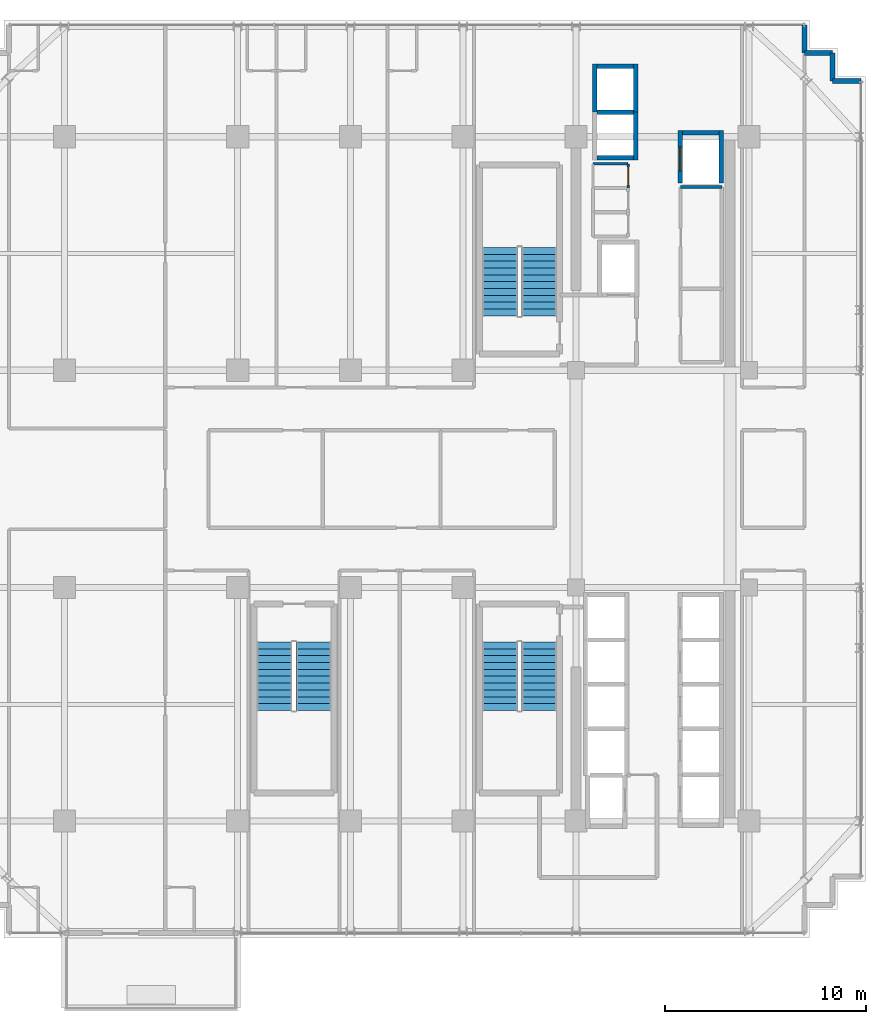
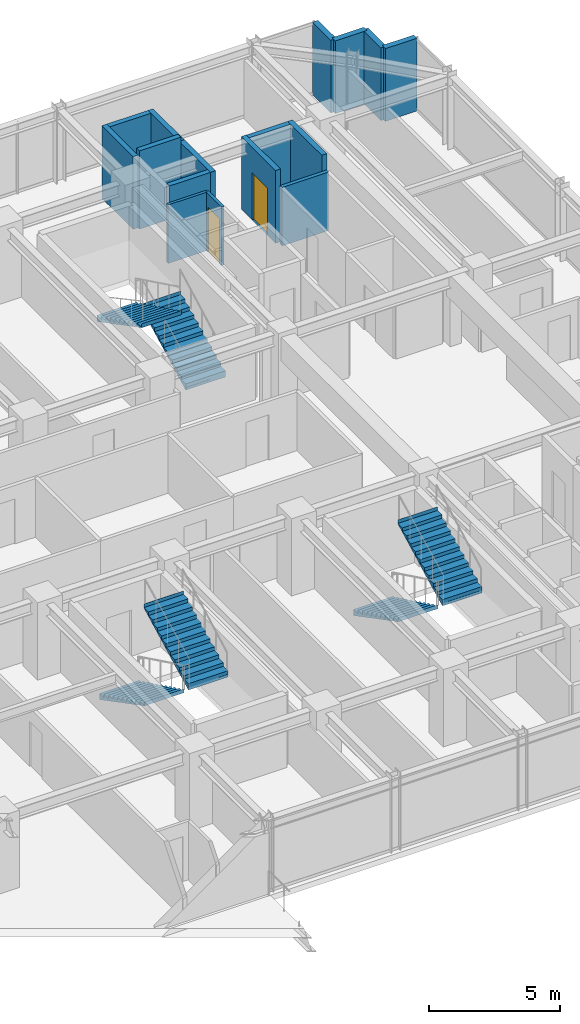
# One storey, part 28 of 31: 16 walls, 6 stair flights, 2 doors, 2 openings, 3 elements without a shape of their own.
"""IFC4 building model written with IfcOpenShell, lengths in metres."""

from ifc_helpers import new_model, si_unit, direction, frame, frame_2d, origin, place, context, subcontext, project, spatial, polyline, rectangle, outline, extrude, source, transform, mapped, material, layer, layer_set, type_object, element, fill, aggregate, save


model = new_model("IFC4")

# Units and contexts
model_context = context("Model", 3, precision=1e-05, world=origin(), true_north=direction((0.0, 1.0)))
body_context = subcontext(model_context, "Body", "Model", "MODEL_VIEW")
ifc_project = project(units=[si_unit("LENGTHUNIT", "METRE"), si_unit("AREAUNIT", "SQUARE_METRE"), si_unit("VOLUMEUNIT", "CUBIC_METRE"), si_unit("PLANEANGLEUNIT", "RADIAN"), si_unit("MASSUNIT", "GRAM", prefix="KILO")], contexts=[model_context])

# Site, building, storey
site_placement = place(None, origin())
site = spatial("IfcSite", under=ifc_project, at=site_placement, CompositionType="ELEMENT")
building_placement = place(site_placement, origin())
building = spatial("IfcBuilding", under=site, at=building_placement, Name="Nahalor Promenade Grand Hotel", CompositionType="ELEMENT")
storey_placement = place(building_placement, frame((0.0, 0.0, 156.300048828125)))
storey = spatial("IfcBuildingStorey", under=building, at=storey_placement, Name="L39", CompositionType="ELEMENT", Elevation=156.300048828125)

# Walls
ifc_material_1 = material(Name="Concrete B-50 (C40/50)", Category="concrete")
ifc_layer_1 = layer(ifc_material_1, 0.219970703125)
ifc_layer_set_1 = layer_set([ifc_layer_1], Name="Concrete B-50 (C40/50)")
wall_type_1 = type_object("IfcWallType", Name="Wall-LiftShaft-220", PredefinedType="SHEAR", material=ifc_layer_set_1)
shared_shape_1 = source(origin(), body_context, "Body", "SweptSolid", [
    extrude(rectangle(XDim=1.820068359375, YDim=0.219970703125, at=frame_2d((0.91015625, 0.0))), origin(), (0.0, 0.0, 1.0), 3.64990234375),
])
wall_1_placement = place(storey_placement, frame((9.43994140625, 18.22509765625, 0.0), z_axis=(0.0, 0.0, 1.0), x_axis=(1.0, 0.0, 0.0)))
element("IfcWall", 1, at=wall_1_placement, inside=storey, type_object=wall_type_1, Name="L39 Lift OB1 Hoistway Wall N", PredefinedType="SHEAR", context=body_context, shape_type="MappedRepresentation", body=[
    mapped(shared_shape_1, transform((0.0, 0.0, 0.0), scale=1.0)),
])
shared_shape_2 = source(origin(), body_context, "Body", "SweptSolid", [
    extrude(rectangle(XDim=1.820068359375, YDim=0.219970703125, at=frame_2d((0.91015625, 0.0))), origin(), (0.0, 0.0, 1.0), 3.389892578125),
])
for number, where, z_axis, x_axis, name in (
    (2, (9.43994140625, 15.949951171875, 0.0), (0.0, 0.0, 1.0), (1.0, 0.0, 0.0), "L39 Lift OB1 Hoistway Wall S"),
    (3, (9.43994140625, 20.5, 0.0), (0.0, 0.0, 1.0), (1.0, 0.0, 0.0), "L39 Lift OB2 Hoistway Wall N"),
    (4, (13.68994140625, 17.199951171875, 0.0), (0.0, 0.0, 1.0), (1.0, 0.0, 0.0), "L39 Lift SV1 Hoistway Wall N"),
):
    element("IfcWall", number, at=place(storey_placement, frame(where, z_axis=z_axis, x_axis=x_axis)), inside=storey, type_object=wall_type_1, Name=name, PredefinedType="SHEAR", context=body_context, shape_type="MappedRepresentation", body=[
        mapped(shared_shape_2, transform((0.0, 0.0, 0.0), scale=1.0)),
    ])
shared_shape_3 = source(origin(), body_context, "Body", "SweptSolid", [
    extrude(rectangle(XDim=2.385009765625, YDim=0.219970703125, at=frame_2d((1.1923828125, 0.0))), origin(), (0.0, 0.0, 1.0), 3.389892578125),
])
for number, where, z_axis, x_axis, name in (
    (5, (11.3701171875, 15.840087890625, 0.0), (0.0, 0.0, 1.0), (0.0, 1.0, 0.0), "L39 Lift OB1 Hoistway Wall E"),
    (6, (9.330078125, 18.22509765625, 0.0), (0.0, 0.0, 1.0), (0.0, 1.0, 0.0), "L39 Lift OB2 Hoistway Wall W"),
    (7, (11.3701171875, 18.22509765625, 0.0), (0.0, 0.0, 1.0), (0.0, 1.0, 0.0), "L39 Lift OB2 Hoistway Wall E"),
):
    element("IfcWall", number, at=place(storey_placement, frame(where, z_axis=z_axis, x_axis=x_axis)), inside=storey, type_object=wall_type_1, Name=name, PredefinedType="SHEAR", context=body_context, shape_type="MappedRepresentation", body=[
        mapped(shared_shape_3, transform((0.0, 0.0, 0.0), scale=1.0)),
    ])

# Wall, opening, door
shared_shape_4 = source(origin(), body_context, "Body", "SweptSolid", [
    extrude(rectangle(XDim=2.610107421875, YDim=0.219970703125, at=frame_2d((1.30517578125, 0.0))), origin(), (0.0, 0.0, 1.0), 3.389892578125),
])
wall_2_placement = place(storey_placement, frame((13.580078125, 14.699951171875, 0.0), z_axis=(0.0, 0.0, 1.0), x_axis=(0.0, 1.0, 0.0)))
wall_2 = element("IfcWall", 8, at=wall_2_placement, inside=storey, type_object=wall_type_1, Name="L39 Lift SV1 Hoistway Wall W", PredefinedType="SHEAR", context=body_context, shape_type="MappedRepresentation", body=[
    mapped(shared_shape_4, transform((0.0, 0.0, 0.0), scale=1.0)),
])
opening_1_placement = place(wall_2_placement, frame((0.60009765625, 0.0, 0.0)))
opening_1 = element("IfcOpeningElement", 9, at=opening_1_placement, cuts=wall_2, Name="Opening LD-03", PredefinedType="OPENING", context=body_context, shape_type="SweptSolid", body=[
    extrude(rectangle(XDim=1.199951171875, YDim=2.199951171875, at=frame_2d((0.60009765625, 1.10009765625))), frame((0.0, 0.119873046875, 0.0), z_axis=(0.0, -1.0, 0.0), x_axis=(1.0, 0.0, 0.0)), (0.0, 0.0, 1.0), 0.239990234375),
])
ifc_material_2 = material(Name="Steel S355JR", Category="steel")
door_type_1 = type_object("IfcDoorType", Name="Door-LiftService-1200", OperationType="DOUBLE_DOOR_SLIDING", PredefinedType="DOOR", material=ifc_material_2)
shared_shape_5 = source(origin(), body_context, "Body", "SweptSolid", [
    extrude(rectangle(XDim=1.199951171875, YDim=2.199951171875, at=frame_2d((0.60009765625, 1.10009765625))), frame((0.0, 0.02490234375, 0.0), z_axis=(0.0, -1.0, 0.0), x_axis=(1.0, 0.0, 0.0)), (0.0, 0.0, 1.0), 0.050048828125),
])
door_1_placement = place(opening_1_placement, origin())
door_1 = element("IfcDoor", 10, at=door_1_placement, inside=storey, type_object=door_type_1, Name="DR-LIFT-SV1-L39", OperationType="DOUBLE_DOOR_SLIDING", OverallHeight=2.199951171875, OverallWidth=1.199951171875, PredefinedType="DOOR", context=body_context, shape_type="MappedRepresentation", body=[
    mapped(shared_shape_5, transform((0.0, 0.0, 0.0), scale=1.0)),
])
fill(opening_1, door_1)

# Walls
wall_3_placement = place(storey_placement, frame((15.6201171875, 14.699951171875, 0.0), z_axis=(0.0, 0.0, 1.0), x_axis=(0.0, 1.0, 0.0)))
element("IfcWall", 11, at=wall_3_placement, inside=storey, type_object=wall_type_1, Name="L39 Lift SV1 Hoistway Wall E", PredefinedType="SHEAR", context=body_context, shape_type="MappedRepresentation", body=[
    mapped(shared_shape_4, transform((0.0, 0.0, 0.0), scale=1.0)),
])
ifc_material_3 = material(Name="Concrete B-40 (C32/40)", Category="concrete")
ifc_layer_2 = layer(ifc_material_3, 0.25)
ifc_layer_set_2 = layer_set([ifc_layer_2], Name="Concrete B-40 (C32/40)")
wall_type_2 = type_object("IfcWallType", Name="Wall-BronzePier-250", PredefinedType="STANDARD", material=ifc_layer_set_2)
shared_shape_6 = source(origin(), body_context, "Body", "SweptSolid", [
    extrude(rectangle(XDim=1.400146484375, YDim=0.25, at=frame_2d((0.7001953125, 0.0))), origin(), (0.0, 0.0, 1.0), 3.389892578125),
])
for number, where, z_axis, x_axis, name in (
    (12, (21.159912109375, 19.760009765625, 0.0), (0.0, 0.0, 1.0), (1.0, 0.0, 0.0), "W-L39-SR-05"),
    (13, (19.760009765625, 21.159912109375, 0.0), (0.0, 0.0, 1.0), (0.0, 1.0, 0.0), "W-L39-SR-08"),
):
    element("IfcWall", number, at=place(storey_placement, frame(where, z_axis=z_axis, x_axis=x_axis)), inside=storey, type_object=wall_type_2, Name=name, PredefinedType="STANDARD", context=body_context, shape_type="MappedRepresentation", body=[
        mapped(shared_shape_6, transform((0.0, 0.0, 0.0), scale=1.0)),
    ])
shared_shape_7 = source(origin(), body_context, "Body", "SweptSolid", [
    extrude(rectangle(XDim=1.39990234375, YDim=0.25, at=frame_2d((0.699951171875, 0.0))), origin(), (0.0, 0.0, 1.0), 3.389892578125),
])
for number, where, z_axis, x_axis, name in (
    (14, (21.159912109375, 19.760009765625, 0.0), (0.0, 0.0, 1.0), (0.0, 1.0, 0.0), "W-L39-SR-06"),
    (15, (19.760009765625, 21.159912109375, 0.0), (0.0, 0.0, 1.0), (1.0, 0.0, 0.0), "W-L39-SR-07"),
):
    element("IfcWall", number, at=place(storey_placement, frame(where, z_axis=z_axis, x_axis=x_axis)), inside=storey, type_object=wall_type_2, Name=name, PredefinedType="STANDARD", context=body_context, shape_type="MappedRepresentation", body=[
        mapped(shared_shape_7, transform((0.0, 0.0, 0.0), scale=1.0)),
    ])
ifc_material_4 = material(Name="Acoustic Mineral Gypsum", Category="gypsum")
ifc_layer_3 = layer(ifc_material_4, 0.159912109375)
ifc_layer_set_3 = layer_set([ifc_layer_3], Name="Acoustic Mineral Gypsum")
wall_type_3 = type_object("IfcWallType", Name="Wall-PartCorridor-160", PredefinedType="PARTITIONING", material=ifc_layer_set_3)
shared_shape_8 = source(origin(), body_context, "Body", "SweptSolid", [
    extrude(rectangle(XDim=2.0498046875, YDim=0.159912109375, at=frame_2d((1.02490234375, 0.0))), origin(), (0.0, 0.0, 1.0), 2.72998046875),
])
wall_4_placement = place(storey_placement, frame((13.60009765625, 14.5, 0.0), z_axis=(0.0, 0.0, 1.0), x_axis=(1.0, 0.0, 0.0)))
element("IfcWall", 16, at=wall_4_placement, inside=storey, type_object=wall_type_3, Name="W-L39-FRB1B-N", PredefinedType="PARTITIONING", context=body_context, shape_type="MappedRepresentation", body=[
    mapped(shared_shape_8, transform((0.0, 0.0, 0.0), scale=1.0)),
])
ifc_layer_4 = layer(ifc_material_4, 0.1201171875)
ifc_layer_set_4 = layer_set([ifc_layer_4], Name="Acoustic Mineral Gypsum")
wall_type_4 = type_object("IfcWallType", Name="Wall-PartBath-120", PredefinedType="PARTITIONING", material=ifc_layer_set_4)
shared_shape_9 = source(origin(), body_context, "Body", "SweptSolid", [
    extrude(rectangle(XDim=1.75, YDim=0.1201171875, at=frame_2d((0.875, 0.0))), origin(), (0.0, 0.0, 1.0), 2.72998046875),
])
wall_5_placement = place(storey_placement, frame((9.25, 15.64990234375, 0.0), z_axis=(0.0, 0.0, 1.0), x_axis=(1.0, 0.0, 0.0)))
element("IfcWall", 17, at=wall_5_placement, inside=storey, type_object=wall_type_4, Name="W-L39-CK3C-N", PredefinedType="PARTITIONING", context=body_context, shape_type="MappedRepresentation", body=[
    mapped(shared_shape_9, transform((0.0, 0.0, 0.0), scale=1.0)),
])

# Wall, opening, door
shared_shape_10 = source(origin(), body_context, "Body", "SweptSolid", [
    extrude(rectangle(XDim=1.199951171875, YDim=0.1201171875, at=frame_2d((0.60009765625, 0.0))), origin(), (0.0, 0.0, 1.0), 2.72998046875),
])
wall_6_placement = place(storey_placement, frame((11.0, 14.449951171875, 0.0), z_axis=(0.0, 0.0, 1.0), x_axis=(0.0, 1.0, 0.0)))
wall_6 = element("IfcWall", 18, at=wall_6_placement, inside=storey, type_object=wall_type_4, Name="W-L39-CK3C-E", PredefinedType="PARTITIONING", context=body_context, shape_type="MappedRepresentation", body=[
    mapped(shared_shape_10, transform((0.0, 0.0, 0.0), scale=1.0)),
])
opening_2_placement = place(wall_6_placement, frame((0.159912109375, 0.0, 0.0)))
opening_2 = element("IfcOpeningElement", 19, at=opening_2_placement, cuts=wall_6, Name="Opening D-03", PredefinedType="OPENING", context=body_context, shape_type="SweptSolid", body=[
    extrude(rectangle(XDim=0.8798828125, YDim=2.10009765625, at=frame_2d((0.43994140625, 1.050048828125))), frame((0.0, 0.070068359375, 0.0), z_axis=(0.0, -1.0, 0.0), x_axis=(1.0, 0.0, 0.0)), (0.0, 0.0, 1.0), 0.14013671875),
])
ifc_material_5 = material(Name="Fire-Rated Timber Composite", Category="wood")
door_type_2 = type_object("IfcDoorType", Name="Door-BathSwing-880", OperationType="NOTDEFINED", PredefinedType="DOOR", material=ifc_material_5)
shared_shape_11 = source(origin(), body_context, "Body", "SweptSolid", [
    extrude(rectangle(XDim=0.8798828125, YDim=2.10009765625, at=frame_2d((0.43994140625, 1.050048828125))), frame((0.0, 0.02490234375, 0.0), z_axis=(0.0, -1.0, 0.0), x_axis=(1.0, 0.0, 0.0)), (0.0, 0.0, 1.0), 0.050048828125),
])
door_2_placement = place(opening_2_placement, origin())
door_2 = element("IfcDoor", 20, at=door_2_placement, inside=storey, type_object=door_type_2, Name="DR-L39-CK3C", OperationType="SINGLE_SWING_LEFT", OverallHeight=2.10009765625, OverallWidth=0.8798828125, PredefinedType="DOOR", context=body_context, shape_type="MappedRepresentation", body=[
    mapped(shared_shape_11, transform((0.0, 0.0, 0.0), scale=1.0)),
])
fill(opening_2, door_2)

# Stair, stair flights
stair_type_1 = type_object("IfcStairType", Name="Stair-ST1", PredefinedType="HALF_TURN_STAIR", material=ifc_material_1)
stair_1_placement = place(storey_placement, origin())
stair_1 = element("IfcStair", 21, at=stair_1_placement, inside=storey, type_object=stair_type_1, Name="L39 ST1", PredefinedType="HALF_TURN_STAIR")
ifc_layer_5 = layer(ifc_material_1, 0.179931640625)
ifc_layer_set_5 = layer_set([ifc_layer_5], Name="Concrete B-50 (C40/50)")
stair_flight_type_1 = type_object("IfcStairFlightType", Name="Flight-ST1", PredefinedType="STRAIGHT", material=ifc_layer_set_5)
shared_shape_12 = source(origin(), body_context, "Body", "SweptSolid", [
    extrude(outline(polyline([(-0.00390625, -0.1201171875), (-0.00390625, 0.0), (0.0, 0.0), (0.0, 0.166015625), (0.340087890625, 0.166015625), (0.340087890625, 0.331787109375), (0.679931640625, 0.331787109375), (0.679931640625, 0.497802734375), (1.02001953125, 0.497802734375), (1.02001953125, 0.66357421875), (1.360107421875, 0.66357421875), (1.360107421875, 0.82958984375), (1.699951171875, 0.82958984375), (1.699951171875, 0.995361328125), (2.0400390625, 0.995361328125), (2.0400390625, 1.161376953125), (2.3798828125, 1.161376953125), (2.3798828125, 1.327392578125), (2.719970703125, 1.327392578125), (2.719970703125, 1.4931640625), (3.06005859375, 1.4931640625), (3.06005859375, 1.6591796875), (3.39990234375, 1.6591796875), (3.39990234375, 1.824951171875), (3.404052734375, 1.824951171875), (3.404052734375, 1.64501953125), (0.02001953125, -0.1201171875), (-0.00390625, -0.1201171875)])), frame((0.0, 0.875, 0.0), z_axis=(0.0, -1.0, 0.0), x_axis=(1.0, 0.0, 0.0)), (0.0, 0.0, 1.0), 1.75),
])
stair_flight_1_placement = place(storey_placement, frame((6.574951171875, 8.10009765625, 0.0), z_axis=(0.0, 0.0, 1.0), x_axis=(0.0, 1.0, 0.0)))
stair_flight_1 = element("IfcStairFlight", 22, at=stair_flight_1_placement, type_object=stair_flight_type_1, Name="ST1 flight 1", NumberOfRisers=11, NumberOfTreads=10, PredefinedType="STRAIGHT", RiserHeight=0.165909091, TreadLength=0.34, context=body_context, shape_type="MappedRepresentation", body=[
    mapped(shared_shape_12, transform((0.0, 0.0, 0.0), scale=1.0)),
])
stair_flight_2_placement = place(storey_placement, frame((4.625, 11.5, 1.824951171875), z_axis=(0.0, 0.0, 1.0), x_axis=(0.0, -1.0, 0.0)))
stair_flight_2 = element("IfcStairFlight", 23, at=stair_flight_2_placement, type_object=stair_flight_type_1, Name="ST1 flight 2", NumberOfRisers=11, NumberOfTreads=10, PredefinedType="STRAIGHT", RiserHeight=0.165909091, TreadLength=0.34, context=body_context, shape_type="MappedRepresentation", body=[
    mapped(shared_shape_12, transform((0.0, 0.0, 0.0), scale=1.0)),
])
aggregate(stair_1, [stair_flight_1, stair_flight_2])

stair_type_2 = type_object("IfcStairType", Name="Stair-ST2", PredefinedType="HALF_TURN_STAIR", material=ifc_material_1)
stair_2_placement = place(storey_placement, origin())
stair_2 = element("IfcStair", 24, at=stair_2_placement, inside=storey, type_object=stair_type_2, Name="L39 ST2", PredefinedType="HALF_TURN_STAIR")
ifc_layer_6 = layer(ifc_material_1, 0.18994140625)
ifc_layer_set_6 = layer_set([ifc_layer_6], Name="Concrete B-50 (C40/50)")
stair_flight_type_2 = type_object("IfcStairFlightType", Name="Flight-ST2", PredefinedType="STRAIGHT", material=ifc_layer_set_6)
shared_shape_13 = source(origin(), body_context, "Body", "SweptSolid", [
    extrude(outline(polyline([(-0.00390625, -0.1201171875), (-0.00390625, 0.0), (0.0, 0.0), (0.0, 0.166015625), (0.340087890625, 0.166015625), (0.340087890625, 0.331787109375), (0.679931640625, 0.331787109375), (0.679931640625, 0.497802734375), (1.02001953125, 0.497802734375), (1.02001953125, 0.66357421875), (1.360107421875, 0.66357421875), (1.360107421875, 0.82958984375), (1.699951171875, 0.82958984375), (1.699951171875, 0.995361328125), (2.0400390625, 0.995361328125), (2.0400390625, 1.161376953125), (2.3798828125, 1.161376953125), (2.3798828125, 1.327392578125), (2.719970703125, 1.327392578125), (2.719970703125, 1.4931640625), (3.06005859375, 1.4931640625), (3.06005859375, 1.6591796875), (3.39990234375, 1.6591796875), (3.39990234375, 1.824951171875), (3.404052734375, 1.824951171875), (3.404052734375, 1.64501953125), (0.02001953125, -0.1201171875), (-0.00390625, -0.1201171875)])), frame((0.0, 0.875, 0.0), z_axis=(0.0, -1.0, 0.0), x_axis=(1.0, 0.0, 0.0)), (0.0, 0.0, 1.0), 1.75),
])
stair_flight_3_placement = place(storey_placement, frame((4.625, -8.10009765625, 0.0), z_axis=(0.0, 0.0, 1.0), x_axis=(0.0, -1.0, 0.0)))
stair_flight_3 = element("IfcStairFlight", 25, at=stair_flight_3_placement, type_object=stair_flight_type_2, Name="ST2 flight 1", NumberOfRisers=11, NumberOfTreads=10, PredefinedType="STRAIGHT", RiserHeight=0.165909091, TreadLength=0.34, context=body_context, shape_type="MappedRepresentation", body=[
    mapped(shared_shape_13, transform((0.0, 0.0, 0.0), scale=1.0)),
])
stair_flight_4_placement = place(storey_placement, frame((6.574951171875, -11.5, 1.824951171875), z_axis=(0.0, 0.0, 1.0), x_axis=(0.0, 1.0, 0.0)))
stair_flight_4 = element("IfcStairFlight", 26, at=stair_flight_4_placement, type_object=stair_flight_type_2, Name="ST2 flight 2", NumberOfRisers=11, NumberOfTreads=10, PredefinedType="STRAIGHT", RiserHeight=0.165909091, TreadLength=0.34, context=body_context, shape_type="MappedRepresentation", body=[
    mapped(shared_shape_13, transform((0.0, 0.0, 0.0), scale=1.0)),
])
aggregate(stair_2, [stair_flight_3, stair_flight_4])

stair_type_3 = type_object("IfcStairType", Name="Stair-ST3", PredefinedType="HALF_TURN_STAIR", material=ifc_material_1)
stair_3_placement = place(storey_placement, origin())
stair_3 = element("IfcStair", 27, at=stair_3_placement, inside=storey, type_object=stair_type_3, Name="L39 ST3", PredefinedType="HALF_TURN_STAIR")
ifc_layer_7 = layer(ifc_material_1, 0.199951171875)
ifc_layer_set_7 = layer_set([ifc_layer_7], Name="Concrete B-50 (C40/50)")
stair_flight_type_3 = type_object("IfcStairFlightType", Name="Flight-ST3", PredefinedType="STRAIGHT", material=ifc_layer_set_7)
shared_shape_14 = source(origin(), body_context, "Body", "SweptSolid", [
    extrude(outline(polyline([(-0.00390625, -0.1201171875), (-0.00390625, 0.0), (0.0, 0.0), (0.0, 0.166015625), (0.340087890625, 0.166015625), (0.340087890625, 0.331787109375), (0.679931640625, 0.331787109375), (0.679931640625, 0.497802734375), (1.02001953125, 0.497802734375), (1.02001953125, 0.66357421875), (1.360107421875, 0.66357421875), (1.360107421875, 0.82958984375), (1.699951171875, 0.82958984375), (1.699951171875, 0.995361328125), (2.0400390625, 0.995361328125), (2.0400390625, 1.161376953125), (2.3798828125, 1.161376953125), (2.3798828125, 1.327392578125), (2.719970703125, 1.327392578125), (2.719970703125, 1.4931640625), (3.06005859375, 1.4931640625), (3.06005859375, 1.6591796875), (3.39990234375, 1.6591796875), (3.39990234375, 1.824951171875), (3.404052734375, 1.824951171875), (3.404052734375, 1.64501953125), (0.02001953125, -0.1201171875), (-0.00390625, -0.1201171875)])), frame((0.0, 0.875, 0.0), z_axis=(0.0, -1.0, 0.0), x_axis=(1.0, 0.0, 0.0)), (0.0, 0.0, 1.0), 1.75),
])
stair_flight_5_placement = place(storey_placement, frame((-6.574951171875, -8.10009765625, 0.0), z_axis=(0.0, 0.0, 1.0), x_axis=(0.0, -1.0, 0.0)))
stair_flight_5 = element("IfcStairFlight", 28, at=stair_flight_5_placement, type_object=stair_flight_type_3, Name="ST3 flight 1", NumberOfRisers=11, NumberOfTreads=10, PredefinedType="STRAIGHT", RiserHeight=0.165909091, TreadLength=0.34, context=body_context, shape_type="MappedRepresentation", body=[
    mapped(shared_shape_14, transform((0.0, 0.0, 0.0), scale=1.0)),
])
stair_flight_6_placement = place(storey_placement, frame((-4.625, -11.5, 1.824951171875), z_axis=(0.0, 0.0, 1.0), x_axis=(0.0, 1.0, 0.0)))
stair_flight_6 = element("IfcStairFlight", 29, at=stair_flight_6_placement, type_object=stair_flight_type_3, Name="ST3 flight 2", NumberOfRisers=11, NumberOfTreads=10, PredefinedType="STRAIGHT", RiserHeight=0.165909091, TreadLength=0.34, context=body_context, shape_type="MappedRepresentation", body=[
    mapped(shared_shape_14, transform((0.0, 0.0, 0.0), scale=1.0)),
])
aggregate(stair_3, [stair_flight_5, stair_flight_6])

save(model, "model.ifc")
